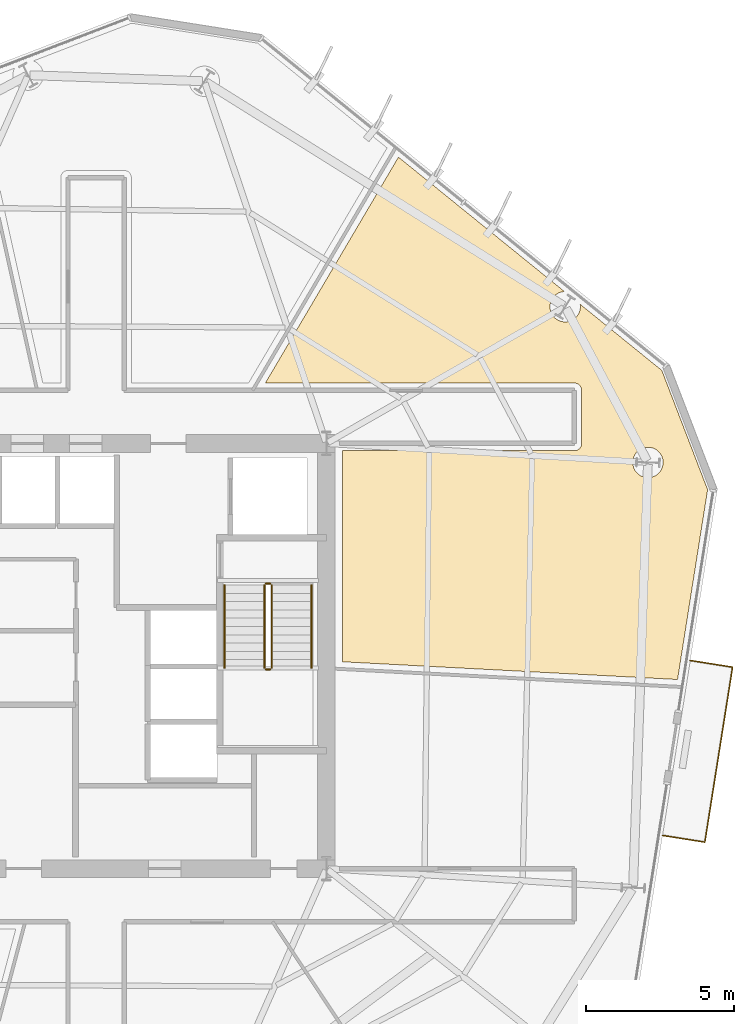
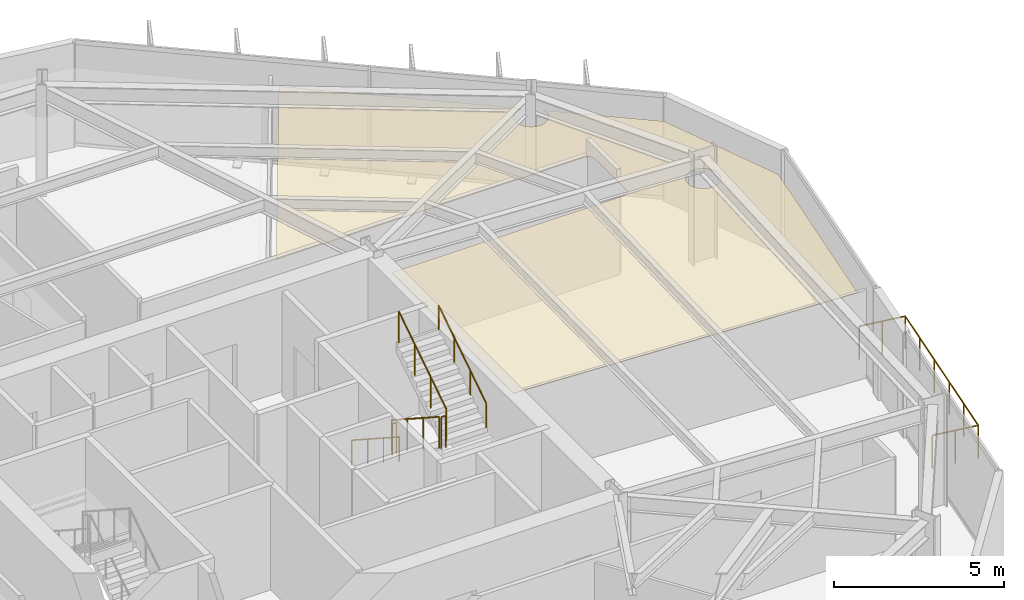
# One storey, part 10 of 11: 7 railings, 1 covering.
"""IFC4 building model written with IfcOpenShell, lengths in metres."""

import ifcopenshell
import ifcopenshell.guid

model = None  # the IFC model being written
_history = None  # IfcOwnerHistory: only IFC2X3 demands one
_inside = {}  # id of a spatial element -> (the spatial element, [elements in it])
_under = {}  # id of a project, library or spatial element -> (it, [spatial elements below it])
_declared = {}  # id of a project -> (the project, [libraries it declares])
_typed = {}  # id of a type object -> (the type object, [elements of that type])
_made_of = {}  # id of a material, layer set ... -> (it, [elements and type objects made of it])


def new_model(schema):
    """Start an empty IFC model of exactly this schema.

    Asked for "IFC4X3", IfcOpenShell would pick the latest addendum, in which some entities
    have other attributes; the version numbers below select the first issue.
    IFC2X3 requires an IfcOwnerHistory on every rooted entity: one is made here for all.
    """
    global model, _history
    if schema == "IFC4X3":
        model = ifcopenshell.file(schema_version=(4, 3, 0, 0))
    else:
        model = ifcopenshell.file(schema=schema)
    _inside.clear()
    _under.clear()
    _declared.clear()
    _typed.clear()
    _made_of.clear()
    _history = None
    if model.schema == "IFC2X3":
        org = make("IfcOrganization", Name="unknown")
        user = make(
            "IfcPersonAndOrganization",
            ThePerson=make("IfcPerson", FamilyName="unknown"),
            TheOrganization=org,
        )
        app = make(
            "IfcApplication",
            ApplicationDeveloper=org,
            Version="unknown",
            ApplicationFullName="unknown",
            ApplicationIdentifier="unknown",
        )
        _history = make(
            "IfcOwnerHistory",
            OwningUser=user,
            OwningApplication=app,
            ChangeAction="ADDED",
            CreationDate=0,
        )
    return model


def make(cls, **values):
    """One entity of the class cls with the attributes given. An attribute that is None is left unset."""
    return model.create_entity(
        cls, **{name: value for name, value in values.items() if value is not None}
    )


def rooted(cls, **values):
    """An entity with a GlobalId (a new one), such as an element, a storey or a relation."""
    return make(cls, GlobalId=ifcopenshell.guid.new(), OwnerHistory=_history, **values)


def si_unit(unit_type, name, prefix=None):
    """IfcSIUnit, for example si_unit("LENGTHUNIT", "METRE", prefix="MILLI")."""
    return make("IfcSIUnit", UnitType=unit_type, Prefix=prefix, Name=name)


def assignment(units):
    """IfcUnitAssignment: the units of a project."""
    return None if units is None else make("IfcUnitAssignment", Units=units)


def point(xyz):
    """IfcCartesianPoint."""
    return None if xyz is None else make("IfcCartesianPoint", Coordinates=xyz)


def direction(xyz):
    """IfcDirection."""
    return None if xyz is None else make("IfcDirection", DirectionRatios=xyz)


def frame(location, z_axis=None, x_axis=None):
    """IfcAxis2Placement3D, a coordinate frame: its origin and axes. An axis left out is left unset."""
    return make(
        "IfcAxis2Placement3D",
        Location=point(location),
        Axis=direction(z_axis),
        RefDirection=direction(x_axis),
    )


def frame_2d(location, x_axis=None):
    """IfcAxis2Placement2D, a coordinate frame in the plane: its origin and x axis."""
    return make(
        "IfcAxis2Placement2D", Location=point(location), RefDirection=direction(x_axis)
    )


def origin():
    """The frame at (0, 0, 0) with its axes left unset."""
    return frame((0.0, 0.0, 0.0))


def origin_2d():
    """The frame at (0, 0) in the plane with its x axis left unset."""
    return frame_2d((0.0, 0.0))


def place(relative_to, where):
    """IfcLocalPlacement: puts the frame where relative to a parent placement (None: the world)."""
    return make(
        "IfcLocalPlacement", PlacementRelTo=relative_to, RelativePlacement=where
    )


def context(
    kind, dimensions, precision=None, world=None, true_north=None, identifier=None
):
    """IfcGeometricRepresentationContext, for example the 3D "Model" context."""
    return make(
        "IfcGeometricRepresentationContext",
        ContextIdentifier=identifier,
        ContextType=kind,
        CoordinateSpaceDimension=dimensions,
        Precision=precision,
        WorldCoordinateSystem=world,
        TrueNorth=true_north,
    )


def subcontext(parent, identifier, kind, view, scale=None):
    """IfcGeometricRepresentationSubContext, for example "Body" below "Model"."""
    return make(
        "IfcGeometricRepresentationSubContext",
        ContextIdentifier=identifier,
        ContextType=kind,
        ParentContext=parent,
        TargetScale=scale,
        TargetView=view,
    )


def project(units=None, contexts=None):
    """IfcProject with its units and contexts."""
    return rooted(
        "IfcProject",
        Name="project",
        RepresentationContexts=contexts,
        UnitsInContext=assignment(units),
    )


def spatial(cls, under=None, at=None, **own):
    """A site, building, storey or space (cls), placed at a placement, below another one or the project."""
    s = rooted(cls, ObjectPlacement=at, **own)
    if under is not None:
        _under.setdefault(under.id(), (under, []))[1].append(s)
    return s


def polyline(points):
    """IfcPolyline through the points."""
    return make("IfcPolyline", Points=[point(p) for p in points])


def profile(cls, at=None, kind="AREA", **sizes):
    """A parametric profile (cls). Its sizes go by their IFC names, for example OverallWidth=200.0."""
    return make(cls, ProfileType=kind, Position=at, **sizes)


def circle(**sizes):
    """IfcCircleProfileDef."""
    return profile("IfcCircleProfileDef", **sizes)


def outline(outer, holes=None, kind="AREA"):
    """IfcArbitraryClosedProfileDef: a profile drawn as a closed curve; with holes, ...WithVoids."""
    if holes is None:
        return make("IfcArbitraryClosedProfileDef", ProfileType=kind, OuterCurve=outer)
    return make(
        "IfcArbitraryProfileDefWithVoids",
        ProfileType=kind,
        OuterCurve=outer,
        InnerCurves=holes,
    )


def extrude(swept, where, along, depth):
    """IfcExtrudedAreaSolid: the profile swept, set in the frame where, extruded along a direction by depth."""
    return make(
        "IfcExtrudedAreaSolid",
        SweptArea=swept,
        Position=where,
        ExtrudedDirection=direction(along),
        Depth=depth,
    )


def shape(context_of_items, identifier, shape_type, items):
    """IfcShapeRepresentation: the items that make up one representation, for example the "Body"."""
    return make(
        "IfcShapeRepresentation",
        ContextOfItems=context_of_items,
        RepresentationIdentifier=identifier,
        RepresentationType=shape_type,
        Items=items,
    )


def material(Name=None, Category=None):
    """IfcMaterial."""
    return make("IfcMaterial", Name=Name, Category=Category)


def layer(
    of_material, thickness, ventilated=None, Name=None, Category=None, Priority=None
):
    """IfcMaterialLayer: one layer of a wall or slab, of a material (None: an air gap)."""
    return make(
        "IfcMaterialLayer",
        Material=of_material,
        LayerThickness=thickness,
        IsVentilated=ventilated,
        Name=Name,
        Category=Category,
        Priority=Priority,
    )


def layer_set(layers, Name=None):
    """IfcMaterialLayerSet."""
    return make("IfcMaterialLayerSet", MaterialLayers=layers, LayerSetName=Name)


def made_of(thing, what):
    """Note that an element or type object is made of a material, layer set ...; save() writes the relation."""
    if what is not None:
        _made_of.setdefault(what.id(), (what, []))[1].append(thing)
    return thing


def type_object(cls, material=None, **own):
    """A type object (cls), such as IfcWallType, which elements share."""
    return made_of(rooted(cls, **own), material)


def element(
    cls,
    number,
    at=None,
    inside=None,
    cuts=None,
    type_object=None,
    material=None,
    context=None,
    identifier="Body",
    shape_type=None,
    held_by="IfcProductDefinitionShape",
    body=None,
    shapes=None,
    **own,
):
    """One element of the class cls, such as IfcWall. Its Tag is "e" and its number.

    at: its placement. inside: the storey or other place that contains it. cuts: it is an
    opening in that element (IfcRelVoidsElement). A single representation is given by context,
    identifier, shape_type and body (its items); several are given by shapes. held_by: the class
    of the entity that holds the representations. save() writes the other relations.
    """
    e = rooted(cls, Tag="e%d" % number, ObjectPlacement=at, **own)
    if body is not None:
        shapes = [shape(context, identifier, shape_type, body)]
    if shapes is not None:
        e.Representation = make(held_by, Representations=shapes)
    if inside is not None:
        _inside.setdefault(inside.id(), (inside, []))[1].append(e)
    if cuts is not None:
        rooted(
            "IfcRelVoidsElement", RelatingBuildingElement=cuts, RelatedOpeningElement=e
        )
    if type_object is not None:
        _typed.setdefault(type_object.id(), (type_object, []))[1].append(e)
    return made_of(e, material)


def aggregate(whole, parts):
    """IfcRelAggregates: a whole, such as a stair, and the parts it consists of."""
    return rooted("IfcRelAggregates", RelatingObject=whole, RelatedObjects=parts)


def save(model, path):
    """Write the relations noted so far, then the file.

    IfcRelAggregates (storeys below a building ...), IfcRelContainedInSpatialStructure (elements
    in a storey), IfcRelDefinesByType, IfcRelAssociatesMaterial and IfcRelDeclares: one each for
    every whole, place, type object, material and project.
    """
    for whole, parts in _under.values():
        aggregate(whole, parts)
    for where, things in _inside.values():
        rooted(
            "IfcRelContainedInSpatialStructure",
            RelatedElements=things,
            RelatingStructure=where,
        )
    for kind, things in _typed.values():
        rooted("IfcRelDefinesByType", RelatedObjects=things, RelatingType=kind)
    for what, things in _made_of.values():
        rooted("IfcRelAssociatesMaterial", RelatedObjects=things, RelatingMaterial=what)
    for by, libraries in _declared.values():
        rooted("IfcRelDeclares", RelatingContext=by, RelatedDefinitions=libraries)
    model.write(path)


model = new_model("IFC4")

# Units and contexts
model_context = context("Model", 3, precision=1e-05, world=origin(), true_north=direction((0.0, 1.0)))
body_context = subcontext(model_context, "Body", "Model", "MODEL_VIEW")
ifc_project = project(units=[si_unit("LENGTHUNIT", "METRE"), si_unit("AREAUNIT", "SQUARE_METRE"), si_unit("VOLUMEUNIT", "CUBIC_METRE"), si_unit("PLANEANGLEUNIT", "RADIAN"), si_unit("MASSUNIT", "GRAM", prefix="KILO")], contexts=[model_context])

# Site, building, storey
site_placement = place(None, origin())
site = spatial("IfcSite", under=ifc_project, at=site_placement, CompositionType="ELEMENT")
building_placement = place(site_placement, origin())
building = spatial("IfcBuilding", under=site, at=building_placement, Name="Kranzbogen Civic Tower", CompositionType="ELEMENT")
storey_placement = place(building_placement, frame((0.0, 0.0, 106.39990234375)))
storey = spatial("IfcBuildingStorey", under=building, at=storey_placement, Name="L25", CompositionType="ELEMENT", Elevation=106.39990234375)

# Railings
ifc_material_1 = material(Name="Anodised Bronze Aluminium", Category="aluminium")
railing_type_1 = type_object("IfcRailingType", Name="Cantilevered Balcony Glass and Bronze Balustrade 1200", PredefinedType="BALUSTRADE", material=ifc_material_1)
railing_1_placement = place(storey_placement, frame((44.18603515625, 18.924072265625, 0.0)))
element("IfcRailing", 1, at=railing_1_placement, inside=storey, type_object=railing_type_1, Name="L25 exterior terrace balustrade L25-TB1", PredefinedType="BALUSTRADE", context=body_context, shape_type="SweptSolid", body=[
    extrude(circle(Radius=0.02392578125, at=origin_2d()), frame((0.0, 0.0, 1.17578125), z_axis=(0.987660347587, -0.156611103709, 0.0), x_axis=(0.156611103709, 0.987660347587, 0.0)), (0.0, 0.0, 1.0), 1.44970703125),
    extrude(circle(Radius=0.02392578125, at=origin_2d()), frame((1.431884765625, -0.22705078125, 1.17578125), z_axis=(0.156336593803, 0.987703836906, 0.0), x_axis=(-0.987703836906, 0.156336593803, 0.0)), (0.0, 0.0, 1.0), 5.999755859375),
    extrude(circle(Radius=0.02392578125, at=origin_2d()), frame((2.369873046875, 5.698974609375, 1.17578125), z_axis=(-0.987660347587, 0.156611103709, 0.0), x_axis=(-0.156611103709, -0.987660347587, 0.0)), (0.0, 0.0, 1.0), 1.44970703125),
    extrude(circle(Radius=0.02099609375, at=origin_2d()), origin(), (0.0, 0.0, 1.0), 1.15185546875),
    extrude(circle(Radius=0.02099609375, at=origin_2d()), frame((0.7158203125, -0.113525390625, 0.0)), (0.0, 0.0, 1.0), 1.15185546875),
    extrude(circle(Radius=0.02099609375, at=origin_2d()), frame((1.431884765625, -0.22705078125, 0.0)), (0.0, 0.0, 1.0), 1.15185546875),
    extrude(circle(Radius=0.02099609375, at=origin_2d()), frame((1.619384765625, 0.958251953125, 0.0)), (0.0, 0.0, 1.0), 1.15185546875),
    extrude(circle(Radius=0.02099609375, at=origin_2d()), frame((1.80712890625, 2.143310546875, 0.0)), (0.0, 0.0, 1.0), 1.15185546875),
    extrude(circle(Radius=0.02099609375, at=origin_2d()), frame((1.99462890625, 3.32861328125, 0.0)), (0.0, 0.0, 1.0), 1.15185546875),
    extrude(circle(Radius=0.02099609375, at=origin_2d()), frame((2.182373046875, 4.513671875, 0.0)), (0.0, 0.0, 1.0), 1.15185546875),
    extrude(circle(Radius=0.02099609375, at=origin_2d()), frame((2.369873046875, 5.698974609375, 0.0)), (0.0, 0.0, 1.0), 1.15185546875),
    extrude(circle(Radius=0.02099609375, at=origin_2d()), frame((1.65380859375, 5.8125, 0.0)), (0.0, 0.0, 1.0), 1.15185546875),
    extrude(circle(Radius=0.02099609375, at=origin_2d()), frame((0.93798828125, 5.926025390625, 0.0)), (0.0, 0.0, 1.0), 1.15185546875),
])
ifc_material_2 = material(Name="Steel S355", Category="steel")
railing_type_2 = type_object("IfcRailingType", Name="Internal Stair and Void Steel Guardrail 1150", PredefinedType="GUARDRAIL", material=ifc_material_2)
railing_2_placement = place(storey_placement, frame((30.699951171875, 27.39990234375, 0.181884765625)))
element("IfcRailing", 2, at=railing_2_placement, inside=storey, type_object=railing_type_2, Name="L25 ST-T2 stair guard 1", PredefinedType="GUARDRAIL", context=body_context, shape_type="SweptSolid", body=[
    extrude(circle(Radius=0.02392578125, at=origin_2d()), frame((0.0, 0.0, 1.1259765625), z_axis=(0.0, -0.83868413941, 0.544618136222), x_axis=(1.0, 0.0, 0.0)), (0.0, 0.0, 1.0), 3.33837890625),
    extrude(circle(Radius=0.02099609375, at=origin_2d()), origin(), (0.0, 0.0, 1.0), 1.101806640625),
    extrude(circle(Radius=0.02099609375, at=origin_2d()), frame((0.0, -0.933349609375, 0.60595703125)), (0.0, 0.0, 1.0), 1.101806640625),
    extrude(circle(Radius=0.02099609375, at=origin_2d()), frame((0.0, -1.866455078125, 1.212158203125)), (0.0, 0.0, 1.0), 1.101806640625),
    extrude(circle(Radius=0.02099609375, at=origin_2d()), frame((0.0, -2.7998046875, 1.818115234375)), (0.0, 0.0, 1.0), 1.101806640625),
])
railing_3_placement = place(storey_placement, frame((30.75, 24.550048828125, 2.0)))
element("IfcRailing", 3, at=railing_3_placement, inside=storey, type_object=railing_type_2, Name="L25 ST-T2 stair guard 2", PredefinedType="GUARDRAIL", context=body_context, shape_type="SweptSolid", body=[
    extrude(circle(Radius=0.02392578125, at=origin_2d()), frame((0.0, 0.0, 1.1259765625), z_axis=(1.0, 0.0, 0.0), x_axis=(0.0, 1.0, 0.0)), (0.0, 0.0, 1.0), 0.14990234375),
    extrude(circle(Radius=0.02099609375, at=origin_2d()), origin(), (0.0, 0.0, 1.0), 1.101806640625),
    extrude(circle(Radius=0.02099609375, at=origin_2d()), frame((0.14990234375, 0.0, 0.0)), (0.0, 0.0, 1.0), 1.101806640625),
])
railing_4_placement = place(storey_placement, frame((30.949951171875, 24.60009765625, 2.181884765625)))
element("IfcRailing", 4, at=railing_4_placement, inside=storey, type_object=railing_type_2, Name="L25 ST-T2 stair guard 3", PredefinedType="GUARDRAIL", context=body_context, shape_type="SweptSolid", body=[
    extrude(circle(Radius=0.02392578125, at=origin_2d()), frame((0.0, 0.0, 1.1259765625), z_axis=(0.0, 0.83868413941, 0.544618136222), x_axis=(-1.0, 0.0, 0.0)), (0.0, 0.0, 1.0), 3.33837890625),
    extrude(circle(Radius=0.02099609375, at=origin_2d()), origin(), (0.0, 0.0, 1.0), 1.101806640625),
    extrude(circle(Radius=0.02099609375, at=origin_2d()), frame((0.0, 0.933349609375, 0.60595703125)), (0.0, 0.0, 1.0), 1.101806640625),
    extrude(circle(Radius=0.02099609375, at=origin_2d()), frame((0.0, 1.866455078125, 1.212158203125)), (0.0, 0.0, 1.0), 1.101806640625),
    extrude(circle(Radius=0.02099609375, at=origin_2d()), frame((0.0, 2.7998046875, 1.818115234375)), (0.0, 0.0, 1.0), 1.101806640625),
])
railing_5_placement = place(storey_placement, frame((30.75, 27.449951171875, 0.0)))
element("IfcRailing", 5, at=railing_5_placement, inside=storey, type_object=railing_type_2, Name="L25 ST-T2 stair guard 4", PredefinedType="GUARDRAIL", context=body_context, shape_type="SweptSolid", body=[
    extrude(circle(Radius=0.02392578125, at=origin_2d()), frame((0.0, 0.0, 1.1259765625), z_axis=(1.0, 0.0, 0.0), x_axis=(0.0, 1.0, 0.0)), (0.0, 0.0, 1.0), 0.14990234375),
    extrude(circle(Radius=0.02099609375, at=origin_2d()), origin(), (0.0, 0.0, 1.0), 1.101806640625),
    extrude(circle(Radius=0.02099609375, at=origin_2d()), frame((0.14990234375, 0.0, 0.0)), (0.0, 0.0, 1.0), 1.101806640625),
])

# Covering
ifc_material_3 = material(Name="Perforated Acoustic Gypsum Ceiling")
ifc_layer = layer(ifc_material_3, 0.02490234375, Name="Perforated Acoustic Gypsum Ceiling")
ifc_layer_set = layer_set([ifc_layer], Name="Perforated Acoustic Gypsum Ceiling")
covering_type = type_object("IfcCoveringType", Name="Perforated Acoustic Mineral Ceiling Tile 25 mm", PredefinedType="CEILING", material=ifc_layer_set)
covering_placement = place(storey_placement, frame((0.0, 0.0, 2.900146484375)))
element("IfcCovering", 6, at=covering_placement, inside=storey, type_object=covering_type, Name="L25 Policy Seminar Room acoustic ceiling", PredefinedType="CEILING", context=body_context, shape_type="SweptSolid", body=[
    extrude(outline(polyline([(41.199951171875, 31.955078125), (41.208984375, 31.955078125), (41.215087890625, 31.9560546875), (41.23291015625, 31.95703125), (41.239013671875, 31.9580078125), (41.256103515625, 31.9619140625), (41.262939453125, 31.962890625), (41.280029296875, 31.968017578125), (41.285888671875, 31.969970703125), (41.302001953125, 31.97705078125), (41.30810546875, 31.97998046875), (41.322998046875, 31.988037109375), (41.3291015625, 31.991943359375), (41.343017578125, 32.0009765625), (41.347900390625, 32.0048828125), (41.362060546875, 32.01611328125), (41.366943359375, 32.02099609375), (41.37890625, 32.032958984375), (41.384033203125, 32.0380859375), (41.39501953125, 32.052001953125), (41.39892578125, 32.056884765625), (41.407958984375, 32.071044921875), (41.412109375, 32.076904296875), (41.419921875, 32.092041015625), (41.423095703125, 32.097900390625), (41.429931640625, 32.114013671875), (41.431884765625, 32.1201171875), (41.43701171875, 32.136962890625), (41.43798828125, 32.14404296875), (41.44189453125, 32.160888671875), (41.443115234375, 32.1669921875), (41.444091796875, 32.18505859375), (41.445068359375, 32.19091796875), (41.445068359375, 32.199951171875), (41.445068359375, 34.0), (41.445068359375, 34.009033203125), (41.444091796875, 34.014892578125), (41.443115234375, 34.032958984375), (41.44189453125, 34.0390625), (41.43798828125, 34.055908203125), (41.43701171875, 34.06298828125), (41.431884765625, 34.080078125), (41.429931640625, 34.0859375), (41.423095703125, 34.10205078125), (41.419921875, 34.10791015625), (41.412109375, 34.123046875), (41.407958984375, 34.12890625), (41.39892578125, 34.14306640625), (41.39501953125, 34.14794921875), (41.384033203125, 34.162109375), (41.37890625, 34.1669921875), (41.366943359375, 34.178955078125), (41.362060546875, 34.18408203125), (41.347900390625, 34.195068359375), (41.343017578125, 34.198974609375), (41.3291015625, 34.2080078125), (41.322998046875, 34.2119140625), (41.30810546875, 34.219970703125), (41.302001953125, 34.222900390625), (41.285888671875, 34.22998046875), (41.280029296875, 34.23193359375), (41.262939453125, 34.237060546875), (41.256103515625, 34.238037109375), (41.239013671875, 34.241943359375), (41.23291015625, 34.242919921875), (41.215087890625, 34.243896484375), (41.208984375, 34.2451171875), (41.199951171875, 34.2451171875), (30.73291015625, 34.2451171875), (35.240966796875, 41.89501953125), (40.864013671875, 37.342041015625), (40.8359375, 37.341064453125), (40.785888671875, 37.3330078125), (40.737060546875, 37.321044921875), (40.68896484375, 37.303955078125), (40.64404296875, 37.282958984375), (40.60009765625, 37.257080078125), (40.56005859375, 37.22705078125), (40.52197265625, 37.193115234375), (40.488037109375, 37.155029296875), (40.4580078125, 37.114990234375), (40.431884765625, 37.071044921875), (40.410888671875, 37.02587890625), (40.39404296875, 36.97802734375), (40.382080078125, 36.928955078125), (40.3740234375, 36.87890625), (40.3720703125, 36.8291015625), (40.3740234375, 36.779052734375), (40.382080078125, 36.72900390625), (40.39404296875, 36.679931640625), (40.410888671875, 36.632080078125), (40.431884765625, 36.5869140625), (40.4580078125, 36.54296875), (40.488037109375, 36.5029296875), (40.52197265625, 36.465087890625), (40.56005859375, 36.430908203125), (40.60009765625, 36.40087890625), (40.64404296875, 36.375), (40.68896484375, 36.35400390625), (40.737060546875, 36.3369140625), (40.785888671875, 36.324951171875), (40.8359375, 36.31689453125), (40.885986328125, 36.31494140625), (40.93603515625, 36.31689453125), (40.986083984375, 36.324951171875), (41.034912109375, 36.3369140625), (41.0830078125, 36.35400390625), (41.1279296875, 36.375), (41.172119140625, 36.40087890625), (41.2119140625, 36.430908203125), (41.25, 36.465087890625), (41.283935546875, 36.5029296875), (41.31396484375, 36.54296875), (41.340087890625, 36.5869140625), (41.361083984375, 36.632080078125), (41.3779296875, 36.679931640625), (41.389892578125, 36.72900390625), (41.39794921875, 36.779052734375), (41.39990234375, 36.8291015625), (41.39794921875, 36.87890625), (41.39306640625, 36.9140625), (44.160888671875, 34.672119140625), (45.7109375, 30.634033203125), (44.693115234375, 24.205078125), (33.344970703125, 24.804931640625), (33.344970703125, 31.955078125), (41.199951171875, 31.955078125)]), holes=[polyline([(44.1650390625, 31.35888671875), (44.14404296875, 31.31396484375), (44.117919921875, 31.27001953125), (44.087890625, 31.22998046875), (44.053955078125, 31.19189453125), (44.01611328125, 31.157958984375), (43.97607421875, 31.1279296875), (43.931884765625, 31.10205078125), (43.886962890625, 31.0810546875), (43.839111328125, 31.06396484375), (43.7900390625, 31.052001953125), (43.739990234375, 31.0439453125), (43.68994140625, 31.0419921875), (43.639892578125, 31.0439453125), (43.590087890625, 31.052001953125), (43.541015625, 31.06396484375), (43.492919921875, 31.0810546875), (43.447998046875, 31.10205078125), (43.404052734375, 31.1279296875), (43.364013671875, 31.157958984375), (43.325927734375, 31.19189453125), (43.2919921875, 31.22998046875), (43.261962890625, 31.27001953125), (43.236083984375, 31.31396484375), (43.215087890625, 31.35888671875), (43.197998046875, 31.406982421875), (43.18603515625, 31.4560546875), (43.177978515625, 31.506103515625), (43.176025390625, 31.555908203125), (43.177978515625, 31.60595703125), (43.18603515625, 31.656005859375), (43.197998046875, 31.705078125), (43.215087890625, 31.7529296875), (43.236083984375, 31.798095703125), (43.261962890625, 31.842041015625), (43.2919921875, 31.882080078125), (43.325927734375, 31.919921875), (43.364013671875, 31.9541015625), (43.404052734375, 31.98388671875), (43.447998046875, 32.010009765625), (43.492919921875, 32.031005859375), (43.541015625, 32.048095703125), (43.590087890625, 32.06005859375), (43.639892578125, 32.068115234375), (43.68994140625, 32.070068359375), (43.739990234375, 32.068115234375), (43.7900390625, 32.06005859375), (43.839111328125, 32.048095703125), (43.886962890625, 32.031005859375), (43.931884765625, 32.010009765625), (43.97607421875, 31.98388671875), (44.01611328125, 31.9541015625), (44.053955078125, 31.919921875), (44.087890625, 31.882080078125), (44.117919921875, 31.842041015625), (44.14404296875, 31.798095703125), (44.1650390625, 31.7529296875), (44.181884765625, 31.705078125), (44.194091796875, 31.656005859375), (44.201904296875, 31.60595703125), (44.2041015625, 31.555908203125), (44.201904296875, 31.506103515625), (44.194091796875, 31.4560546875), (44.181884765625, 31.406982421875), (44.1650390625, 31.35888671875)])]), origin(), (0.0, 0.0, 1.0), 0.02490234375),
])

# Railings
ifc_material_4 = material(Name="Pale Anodised Aluminium", Category="aluminium")
railing_type_3 = type_object("IfcRailingType", Name="Tubular Stainless Stair Wall Handrail 900", PredefinedType="HANDRAIL", material=ifc_material_4)
railing_6_placement = place(storey_placement, frame((29.35009765625, 27.39990234375, 0.181884765625)))
element("IfcRailing", 7, at=railing_6_placement, inside=storey, type_object=railing_type_3, Name="L25 ST-T2 stair handrail 1", PredefinedType="HANDRAIL", context=body_context, shape_type="SweptSolid", body=[
    extrude(circle(Radius=0.02392578125, at=origin_2d()), frame((0.0, 0.0, 0.8759765625), z_axis=(0.0, -0.83868413941, 0.544618136222), x_axis=(1.0, 0.0, 0.0)), (0.0, 0.0, 1.0), 3.33837890625),
    extrude(circle(Radius=0.02099609375, at=origin_2d()), origin(), (0.0, 0.0, 1.0), 0.851806640625),
    extrude(circle(Radius=0.02099609375, at=origin_2d()), frame((0.0, -0.933349609375, 0.60595703125)), (0.0, 0.0, 1.0), 0.851806640625),
    extrude(circle(Radius=0.02099609375, at=origin_2d()), frame((0.0, -1.866455078125, 1.212158203125)), (0.0, 0.0, 1.0), 0.851806640625),
    extrude(circle(Radius=0.02099609375, at=origin_2d()), frame((0.0, -2.7998046875, 1.818115234375)), (0.0, 0.0, 1.0), 0.851806640625),
])
railing_7_placement = place(storey_placement, frame((32.300048828125, 24.60009765625, 2.181884765625)))
element("IfcRailing", 8, at=railing_7_placement, inside=storey, type_object=railing_type_3, Name="L25 ST-T2 stair handrail 2", PredefinedType="HANDRAIL", context=body_context, shape_type="SweptSolid", body=[
    extrude(circle(Radius=0.02392578125, at=origin_2d()), frame((0.0, 0.0, 0.8759765625), z_axis=(0.0, 0.83868413941, 0.544618136222), x_axis=(-1.0, 0.0, 0.0)), (0.0, 0.0, 1.0), 3.33837890625),
    extrude(circle(Radius=0.02099609375, at=origin_2d()), origin(), (0.0, 0.0, 1.0), 0.851806640625),
    extrude(circle(Radius=0.02099609375, at=origin_2d()), frame((0.0, 0.933349609375, 0.60595703125)), (0.0, 0.0, 1.0), 0.851806640625),
    extrude(circle(Radius=0.02099609375, at=origin_2d()), frame((0.0, 1.866455078125, 1.212158203125)), (0.0, 0.0, 1.0), 0.851806640625),
    extrude(circle(Radius=0.02099609375, at=origin_2d()), frame((0.0, 2.7998046875, 1.818115234375)), (0.0, 0.0, 1.0), 0.851806640625),
])

save(model, "model.ifc")
